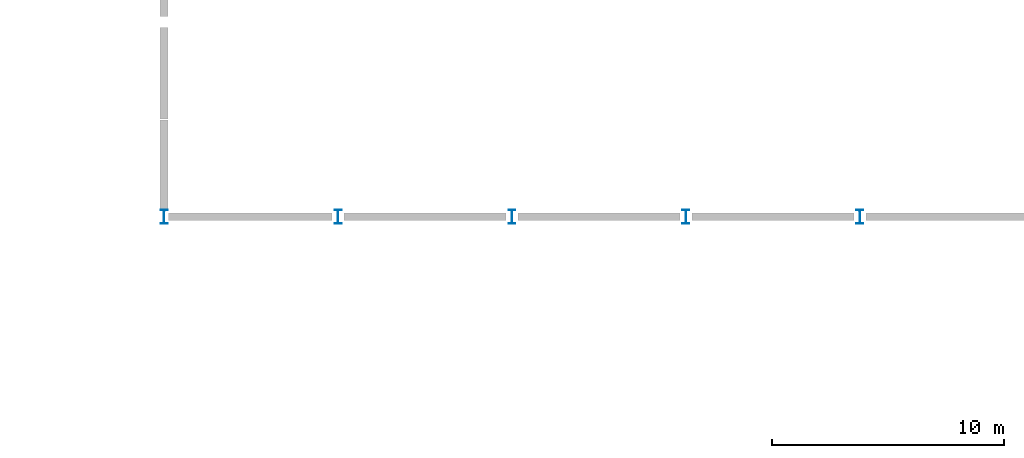
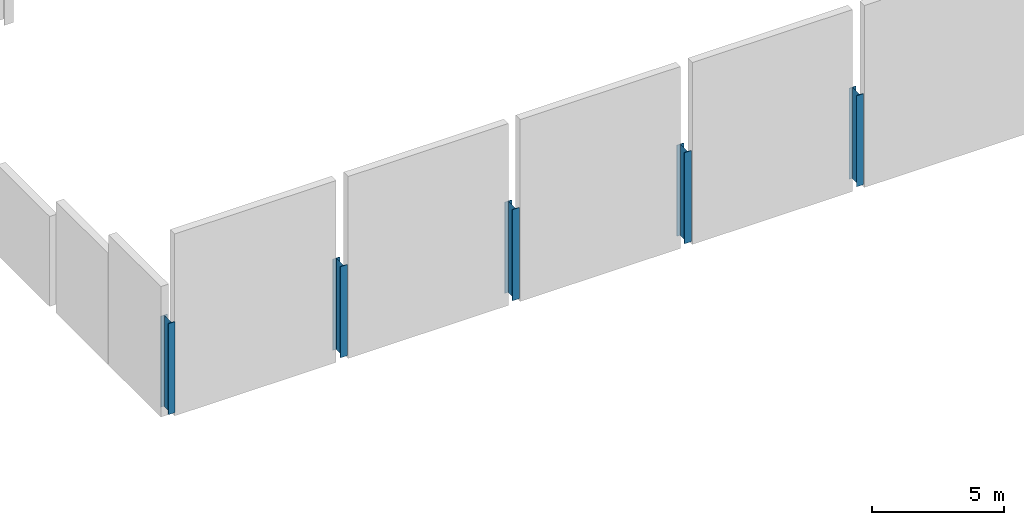
# One storey, part 5 of 45: 5 columns.
"""IFC4 building model written with IfcOpenShell, lengths in metres."""

from ifc_helpers import new_model, si_unit, direction, frame, origin, origin_2d, place, context, subcontext, project, spatial, i_section, extrude, material, material_profile, profile_set, type_object, element, save


model = new_model("IFC4")

# Units and contexts
model_context = context("Model", 3, precision=1e-05, world=origin(), true_north=direction((0.0, 1.0)))
body_context = subcontext(model_context, "Body", "Model", "MODEL_VIEW")
ifc_project = project(units=[si_unit("LENGTHUNIT", "METRE"), si_unit("AREAUNIT", "SQUARE_METRE"), si_unit("VOLUMEUNIT", "CUBIC_METRE"), si_unit("PLANEANGLEUNIT", "RADIAN"), si_unit("MASSUNIT", "GRAM", prefix="KILO")], contexts=[model_context])

# Site, building, storey
site_placement = place(None, origin())
site = spatial("IfcSite", under=ifc_project, at=site_placement, CompositionType="ELEMENT")
building_placement = place(site_placement, origin())
building = spatial("IfcBuilding", under=site, at=building_placement, Name="Yukiwa Park Conservatory and Herbarium", CompositionType="ELEMENT")
storey_placement = place(building_placement, frame((0.0, 0.0, 9.0)))
storey = spatial("IfcBuildingStorey", under=building, at=storey_placement, Name="L02", CompositionType="ELEMENT", Elevation=9.0)

# Columns
ifc_material = material(Name="Steel Q355D", Category="steel")
ifc_material_profile = material_profile(ifc_material, i_section(OverallWidth=0.300048828125, OverallDepth=0.587890625, WebThickness=0.011962890625, FlangeThickness=0.02001953125, FilletRadius=0.02392578125, at=origin_2d()), Name="HM 588x300x12x20")
ifc_profile_set = profile_set([ifc_material_profile], Name="Steel Q355D")
column_type = type_object("IfcColumnType", Name="COL-AU-HM588-EXT", PredefinedType="COLUMN", material=ifc_profile_set)
for number, where, z_axis, x_axis, name in (
    (1, (15.0, 78.0, 0.0), (0.0, 0.0, 1.0), (1.0, 0.0, 0.0), "Auditorium L02 south clerestory column 1"),
    (2, (22.5, 78.0, 0.0), (0.0, 0.0, 1.0), (1.0, 0.0, 0.0), "Auditorium L02 south clerestory column 2"),
    (3, (30.0, 78.0, 0.0), (0.0, 0.0, 1.0), (1.0, 0.0, 0.0), "Auditorium L02 south clerestory column 3"),
    (4, (37.5, 78.0, 0.0), (0.0, 0.0, 1.0), (1.0, 0.0, 0.0), "Auditorium L02 south clerestory column 4"),
    (5, (45.0, 78.0, 0.0), (0.0, 0.0, 1.0), (1.0, 0.0, 0.0), "Auditorium L02 south clerestory column 5"),
):
    element("IfcColumn", number, at=place(storey_placement, frame(where, z_axis=z_axis, x_axis=x_axis)), inside=storey, type_object=column_type, Name=name, PredefinedType="COLUMN", context=body_context, shape_type="SweptSolid", body=[
        extrude(i_section(OverallWidth=0.300048828125, OverallDepth=0.587890625, WebThickness=0.011962890625, FlangeThickness=0.02001953125, FilletRadius=0.02392578125, at=origin_2d()), origin(), (0.0, 0.0, 1.0), 4.199951171875),
    ])

save(model, "model.ifc")
